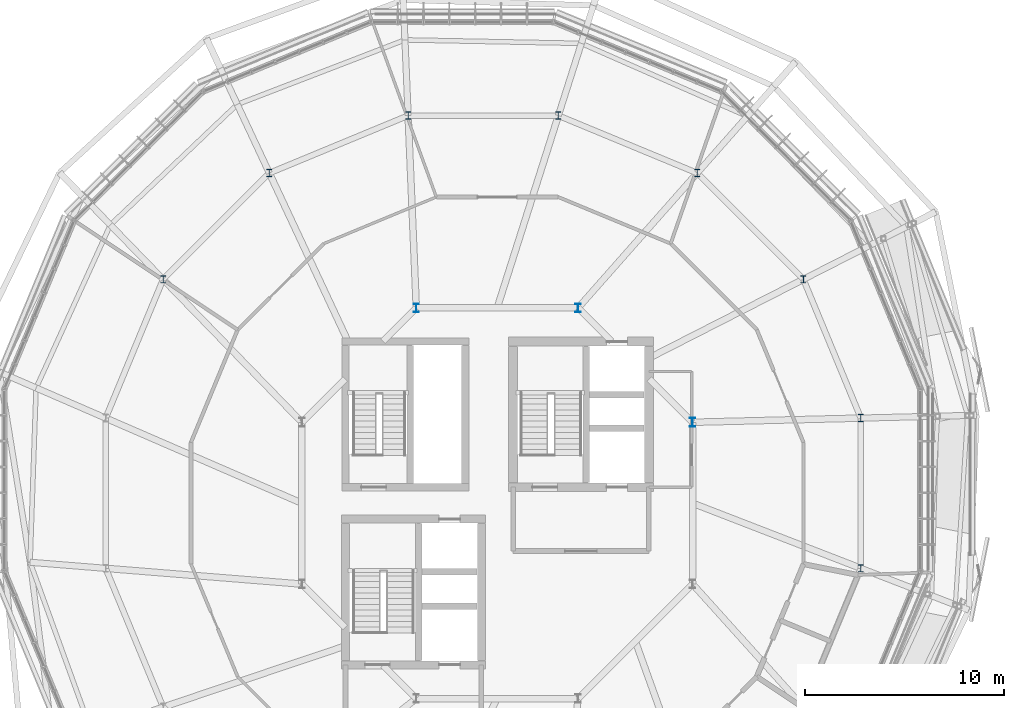
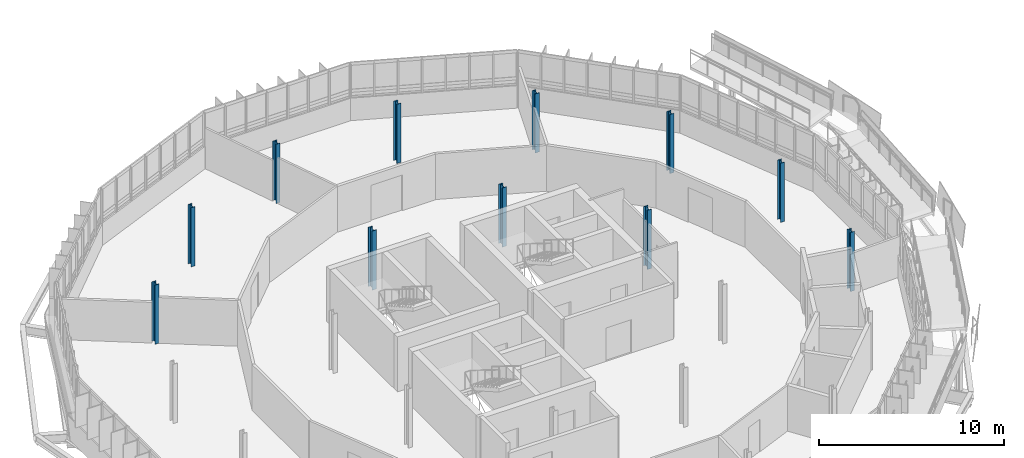
# One storey, part 2 of 38: 11 columns.
"""IFC4 building model written with IfcOpenShell, lengths in metres."""

import ifcopenshell
import ifcopenshell.guid

model = None  # the IFC model being written
_history = None  # IfcOwnerHistory: only IFC2X3 demands one
_inside = {}  # id of a spatial element -> (the spatial element, [elements in it])
_under = {}  # id of a project, library or spatial element -> (it, [spatial elements below it])
_declared = {}  # id of a project -> (the project, [libraries it declares])
_typed = {}  # id of a type object -> (the type object, [elements of that type])
_made_of = {}  # id of a material, layer set ... -> (it, [elements and type objects made of it])


def new_model(schema):
    """Start an empty IFC model of exactly this schema.

    Asked for "IFC4X3", IfcOpenShell would pick the latest addendum, in which some entities
    have other attributes; the version numbers below select the first issue.
    IFC2X3 requires an IfcOwnerHistory on every rooted entity: one is made here for all.
    """
    global model, _history
    if schema == "IFC4X3":
        model = ifcopenshell.file(schema_version=(4, 3, 0, 0))
    else:
        model = ifcopenshell.file(schema=schema)
    _inside.clear()
    _under.clear()
    _declared.clear()
    _typed.clear()
    _made_of.clear()
    _history = None
    if model.schema == "IFC2X3":
        org = make("IfcOrganization", Name="unknown")
        user = make(
            "IfcPersonAndOrganization",
            ThePerson=make("IfcPerson", FamilyName="unknown"),
            TheOrganization=org,
        )
        app = make(
            "IfcApplication",
            ApplicationDeveloper=org,
            Version="unknown",
            ApplicationFullName="unknown",
            ApplicationIdentifier="unknown",
        )
        _history = make(
            "IfcOwnerHistory",
            OwningUser=user,
            OwningApplication=app,
            ChangeAction="ADDED",
            CreationDate=0,
        )
    return model


def make(cls, **values):
    """One entity of the class cls with the attributes given. An attribute that is None is left unset."""
    return model.create_entity(
        cls, **{name: value for name, value in values.items() if value is not None}
    )


def rooted(cls, **values):
    """An entity with a GlobalId (a new one), such as an element, a storey or a relation."""
    return make(cls, GlobalId=ifcopenshell.guid.new(), OwnerHistory=_history, **values)


def si_unit(unit_type, name, prefix=None):
    """IfcSIUnit, for example si_unit("LENGTHUNIT", "METRE", prefix="MILLI")."""
    return make("IfcSIUnit", UnitType=unit_type, Prefix=prefix, Name=name)


def derived_unit(unit_type, elements):
    """IfcDerivedUnit: a product of units, each with its exponent."""
    return make(
        "IfcDerivedUnit",
        Elements=[
            make("IfcDerivedUnitElement", Unit=unit, Exponent=power)
            for unit, power in elements
        ],
        UnitType=unit_type,
    )


def assignment(units):
    """IfcUnitAssignment: the units of a project."""
    return None if units is None else make("IfcUnitAssignment", Units=units)


def point(xyz):
    """IfcCartesianPoint."""
    return None if xyz is None else make("IfcCartesianPoint", Coordinates=xyz)


def direction(xyz):
    """IfcDirection."""
    return None if xyz is None else make("IfcDirection", DirectionRatios=xyz)


def frame(location, z_axis=None, x_axis=None):
    """IfcAxis2Placement3D, a coordinate frame: its origin and axes. An axis left out is left unset."""
    return make(
        "IfcAxis2Placement3D",
        Location=point(location),
        Axis=direction(z_axis),
        RefDirection=direction(x_axis),
    )


def frame_2d(location, x_axis=None):
    """IfcAxis2Placement2D, a coordinate frame in the plane: its origin and x axis."""
    return make(
        "IfcAxis2Placement2D", Location=point(location), RefDirection=direction(x_axis)
    )


def origin():
    """The frame at (0, 0, 0) with its axes left unset."""
    return frame((0.0, 0.0, 0.0))


def origin_2d():
    """The frame at (0, 0) in the plane with its x axis left unset."""
    return frame_2d((0.0, 0.0))


def place(relative_to, where):
    """IfcLocalPlacement: puts the frame where relative to a parent placement (None: the world)."""
    return make(
        "IfcLocalPlacement", PlacementRelTo=relative_to, RelativePlacement=where
    )


def context(
    kind, dimensions, precision=None, world=None, true_north=None, identifier=None
):
    """IfcGeometricRepresentationContext, for example the 3D "Model" context."""
    return make(
        "IfcGeometricRepresentationContext",
        ContextIdentifier=identifier,
        ContextType=kind,
        CoordinateSpaceDimension=dimensions,
        Precision=precision,
        WorldCoordinateSystem=world,
        TrueNorth=true_north,
    )


def subcontext(parent, identifier, kind, view, scale=None):
    """IfcGeometricRepresentationSubContext, for example "Body" below "Model"."""
    return make(
        "IfcGeometricRepresentationSubContext",
        ContextIdentifier=identifier,
        ContextType=kind,
        ParentContext=parent,
        TargetScale=scale,
        TargetView=view,
    )


def project(units=None, contexts=None):
    """IfcProject with its units and contexts."""
    return rooted(
        "IfcProject",
        Name="project",
        RepresentationContexts=contexts,
        UnitsInContext=assignment(units),
    )


def spatial(cls, under=None, at=None, **own):
    """A site, building, storey or space (cls), placed at a placement, below another one or the project."""
    s = rooted(cls, ObjectPlacement=at, **own)
    if under is not None:
        _under.setdefault(under.id(), (under, []))[1].append(s)
    return s


def profile(cls, at=None, kind="AREA", **sizes):
    """A parametric profile (cls). Its sizes go by their IFC names, for example OverallWidth=200.0."""
    return make(cls, ProfileType=kind, Position=at, **sizes)


def i_section(**sizes):
    """IfcIShapeProfileDef."""
    return profile("IfcIShapeProfileDef", **sizes)


def extrude(swept, where, along, depth):
    """IfcExtrudedAreaSolid: the profile swept, set in the frame where, extruded along a direction by depth."""
    return make(
        "IfcExtrudedAreaSolid",
        SweptArea=swept,
        Position=where,
        ExtrudedDirection=direction(along),
        Depth=depth,
    )


def shape(context_of_items, identifier, shape_type, items):
    """IfcShapeRepresentation: the items that make up one representation, for example the "Body"."""
    return make(
        "IfcShapeRepresentation",
        ContextOfItems=context_of_items,
        RepresentationIdentifier=identifier,
        RepresentationType=shape_type,
        Items=items,
    )


def material(Name=None, Category=None):
    """IfcMaterial."""
    return make("IfcMaterial", Name=Name, Category=Category)


def material_profile(
    of_material, cross_section, Name=None, Category=None, Priority=None
):
    """IfcMaterialProfile: a cross section and its material."""
    return make(
        "IfcMaterialProfile",
        Name=Name,
        Material=of_material,
        Profile=cross_section,
        Priority=Priority,
        Category=Category,
    )


def profile_set(profiles, Name=None, composite=None):
    """IfcMaterialProfileSet."""
    return make(
        "IfcMaterialProfileSet",
        Name=Name,
        MaterialProfiles=profiles,
        CompositeProfile=composite,
    )


def made_of(thing, what):
    """Note that an element or type object is made of a material, layer set ...; save() writes the relation."""
    if what is not None:
        _made_of.setdefault(what.id(), (what, []))[1].append(thing)
    return thing


def type_object(cls, material=None, **own):
    """A type object (cls), such as IfcWallType, which elements share."""
    return made_of(rooted(cls, **own), material)


def element(
    cls,
    number,
    at=None,
    inside=None,
    cuts=None,
    type_object=None,
    material=None,
    context=None,
    identifier="Body",
    shape_type=None,
    held_by="IfcProductDefinitionShape",
    body=None,
    shapes=None,
    **own,
):
    """One element of the class cls, such as IfcWall. Its Tag is "e" and its number.

    at: its placement. inside: the storey or other place that contains it. cuts: it is an
    opening in that element (IfcRelVoidsElement). A single representation is given by context,
    identifier, shape_type and body (its items); several are given by shapes. held_by: the class
    of the entity that holds the representations. save() writes the other relations.
    """
    e = rooted(cls, Tag="e%d" % number, ObjectPlacement=at, **own)
    if body is not None:
        shapes = [shape(context, identifier, shape_type, body)]
    if shapes is not None:
        e.Representation = make(held_by, Representations=shapes)
    if inside is not None:
        _inside.setdefault(inside.id(), (inside, []))[1].append(e)
    if cuts is not None:
        rooted(
            "IfcRelVoidsElement", RelatingBuildingElement=cuts, RelatedOpeningElement=e
        )
    if type_object is not None:
        _typed.setdefault(type_object.id(), (type_object, []))[1].append(e)
    return made_of(e, material)


def aggregate(whole, parts):
    """IfcRelAggregates: a whole, such as a stair, and the parts it consists of."""
    return rooted("IfcRelAggregates", RelatingObject=whole, RelatedObjects=parts)


def save(model, path):
    """Write the relations noted so far, then the file.

    IfcRelAggregates (storeys below a building ...), IfcRelContainedInSpatialStructure (elements
    in a storey), IfcRelDefinesByType, IfcRelAssociatesMaterial and IfcRelDeclares: one each for
    every whole, place, type object, material and project.
    """
    for whole, parts in _under.values():
        aggregate(whole, parts)
    for where, things in _inside.values():
        rooted(
            "IfcRelContainedInSpatialStructure",
            RelatedElements=things,
            RelatingStructure=where,
        )
    for kind, things in _typed.values():
        rooted("IfcRelDefinesByType", RelatedObjects=things, RelatingType=kind)
    for what, things in _made_of.values():
        rooted("IfcRelAssociatesMaterial", RelatedObjects=things, RelatingMaterial=what)
    for by, libraries in _declared.values():
        rooted("IfcRelDeclares", RelatingContext=by, RelatedDefinitions=libraries)
    model.write(path)


model = new_model("IFC4")

# Units and contexts
model_context = context("Model", 3, precision=1e-05, world=origin(), true_north=direction((0.0, 1.0)))
body_context = subcontext(model_context, "Body", "Model", "MODEL_VIEW")
ifc_project = project(units=[si_unit("LENGTHUNIT", "METRE"), si_unit("AREAUNIT", "SQUARE_METRE"), si_unit("VOLUMEUNIT", "CUBIC_METRE"), si_unit("PLANEANGLEUNIT", "RADIAN"), si_unit("MASSUNIT", "GRAM", prefix="KILO"), derived_unit("THERMALTRANSMITTANCEUNIT", [(si_unit("MASSUNIT", "GRAM", prefix="KILO"), 1), (si_unit("TIMEUNIT", "SECOND"), -3), (si_unit("THERMODYNAMICTEMPERATUREUNIT", "KELVIN"), -1)])], contexts=[model_context])

# Site, building, storey
site_placement = place(None, origin())
site = spatial("IfcSite", under=ifc_project, at=site_placement, CompositionType="ELEMENT")
building_placement = place(site_placement, origin())
building = spatial("IfcBuilding", under=site, at=building_placement, Name="Makaiwela Harbour Ferry Terminal", CompositionType="ELEMENT")
storey_placement = place(building_placement, frame((0.0, 0.0, 17.699951171875)))
storey = spatial("IfcBuildingStorey", under=building, at=storey_placement, Name="L04", CompositionType="ELEMENT", Elevation=17.699951171875)

# Columns
ifc_material = material(Name="Steel ASTM A992 Grade 50", Category="steel")
ifc_material_profile_1 = material_profile(ifc_material, i_section(OverallWidth=0.257080078125, OverallDepth=0.363037109375, WebThickness=0.012939453125, FlangeThickness=0.021728515625, at=origin_2d()), Name="W14X82")
ifc_profile_set_1 = profile_set([ifc_material_profile_1], Name="Steel ASTM A992 Grade 50")
column_type_1 = type_object("IfcColumnType", Name="STR-COL-W14X82", PredefinedType="COLUMN", material=ifc_profile_set_1)
for number, where, z_axis, x_axis, name in (
    (1, (56.029296875, 71.865234375, 0.0), (0.0, 0.0, 1.0), (1.0, 0.0, 0.0), "Structural Column C-05"),
    (2, (53.1474609375, 78.822509765625, 0.0), (0.0, 0.0, 1.0), (1.0, 0.0, 0.0), "Structural Column C-05"),
    (3, (47.822509765625, 84.1474609375, 0.0), (0.0, 0.0, 1.0), (1.0, 0.0, 0.0), "Structural Column C-05"),
    (4, (40.865234375, 87.029296875, 0.0), (0.0, 0.0, 1.0), (1.0, 0.0, 0.0), "Structural Column C-05"),
    (5, (33.334716796875, 87.029296875, 0.0), (0.0, 0.0, 1.0), (1.0, 0.0, 0.0), "Structural Column C-05"),
    (6, (26.37744140625, 84.1474609375, 0.0), (0.0, 0.0, 1.0), (1.0, 0.0, 0.0), "Structural Column C-05"),
    (7, (21.052490234375, 78.822509765625, 0.0), (0.0, 0.0, 1.0), (1.0, 0.0, 0.0), "Structural Column C-05"),
    (8, (56.029296875, 64.334716796875, 0.0), (0.0, 0.0, 1.0), (1.0, 0.0, 0.0), "Structural Column C-05"),
):
    element("IfcColumn", number, at=place(storey_placement, frame(where, z_axis=z_axis, x_axis=x_axis)), inside=storey, type_object=column_type_1, Name=name, PredefinedType="COLUMN", context=body_context, shape_type="SweptSolid", body=[
        extrude(i_section(OverallWidth=0.257080078125, OverallDepth=0.363037109375, WebThickness=0.012939453125, FlangeThickness=0.021728515625, at=origin_2d()), origin(), (0.0, 0.0, 1.0), 3.900146484375),
    ])
ifc_material_profile_2 = material_profile(ifc_material, i_section(OverallWidth=0.264892578125, OverallDepth=0.430908203125, WebThickness=0.014892578125, FlangeThickness=0.02490234375, at=origin_2d()), Name="W16X100")
ifc_profile_set_2 = profile_set([ifc_material_profile_2], Name="Steel ASTM A992 Grade 50")
column_type_2 = type_object("IfcColumnType", Name="STR-COL-W16X100", PredefinedType="COLUMN", material=ifc_profile_set_2)
for number, where, z_axis, x_axis, name in (
    (9, (47.593017578125, 71.656494140625, 0.0), (0.0, 0.0, 1.0), (1.0, 0.0, 0.0), "Structural Column C-03"),
    (10, (41.8564453125, 77.39306640625, 0.0), (0.0, 0.0, 1.0), (1.0, 0.0, 0.0), "Structural Column C-03"),
    (11, (33.74365234375, 77.39306640625, 0.0), (0.0, 0.0, 1.0), (1.0, 0.0, 0.0), "Structural Column C-03"),
):
    element("IfcColumn", number, at=place(storey_placement, frame(where, z_axis=z_axis, x_axis=x_axis)), inside=storey, type_object=column_type_2, Name=name, PredefinedType="COLUMN", context=body_context, shape_type="SweptSolid", body=[
        extrude(i_section(OverallWidth=0.264892578125, OverallDepth=0.430908203125, WebThickness=0.014892578125, FlangeThickness=0.02490234375, at=origin_2d()), origin(), (0.0, 0.0, 1.0), 3.900146484375),
    ])

save(model, "model.ifc")
